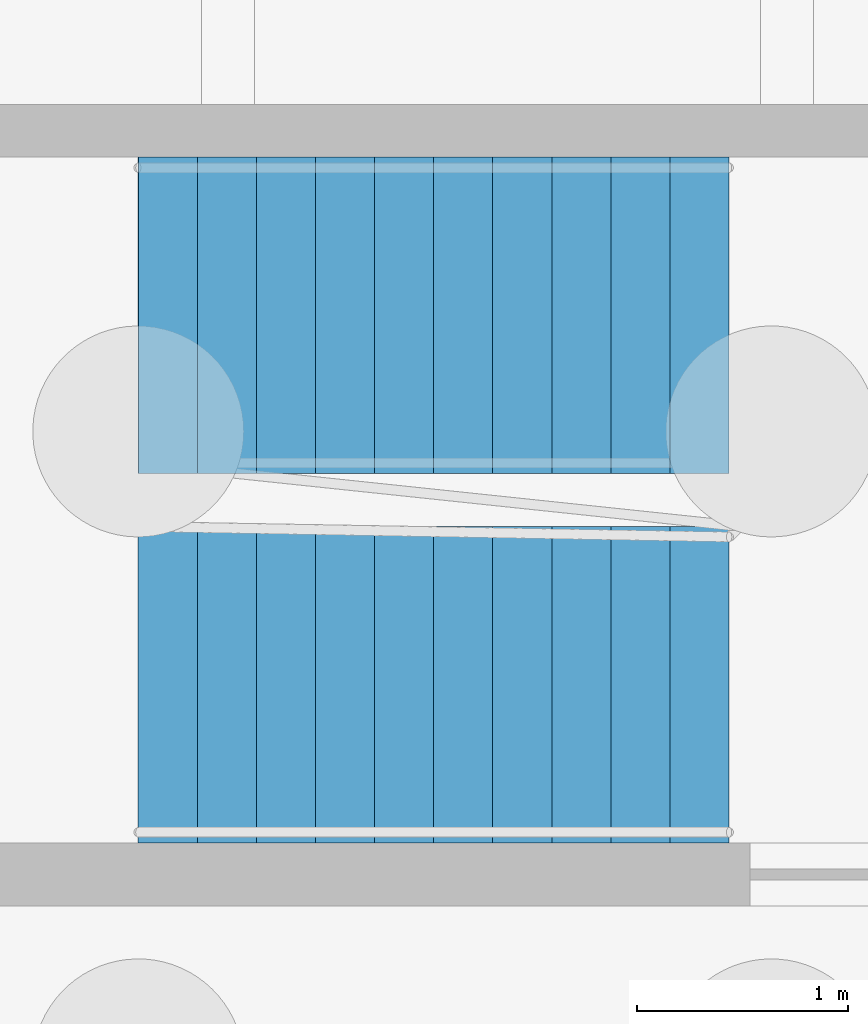
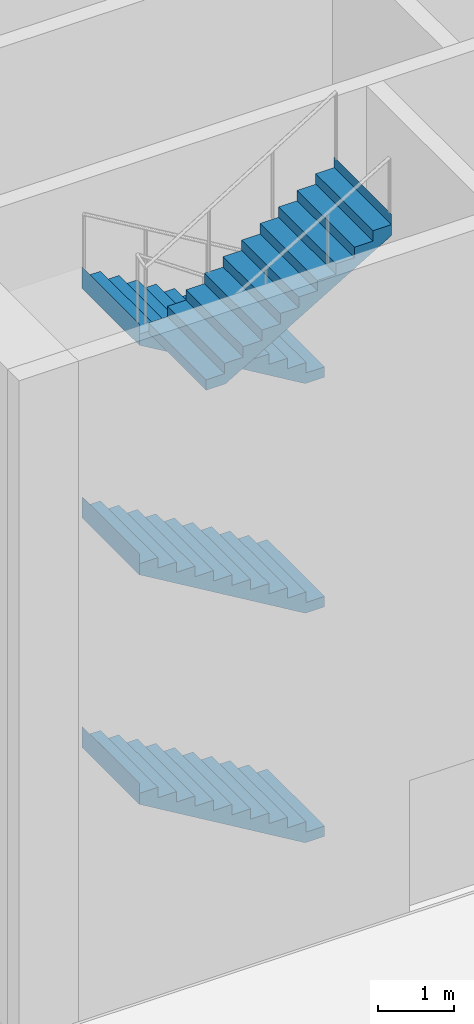
# One storey, part 12 of 26: 4 stair flights, 1 element without a shape of its own.
"""IFC4 building model written with IfcOpenShell, lengths in metres."""

from ifc_helpers import new_model, si_unit, direction, frame, origin, place, context, subcontext, project, spatial, faceted_brep, material, type_object, element, aggregate, save


model = new_model("IFC4")

# Units and contexts
model_context = context("Model", 3, precision=1e-05, world=origin(), true_north=direction((0.0, 1.0)))
body_context = subcontext(model_context, "Body", "Model", "MODEL_VIEW")
ifc_project = project(units=[si_unit("LENGTHUNIT", "METRE"), si_unit("AREAUNIT", "SQUARE_METRE"), si_unit("VOLUMEUNIT", "CUBIC_METRE"), si_unit("PLANEANGLEUNIT", "RADIAN"), si_unit("MASSUNIT", "GRAM", prefix="KILO")], contexts=[model_context])

# Site, building, storey
site_placement = place(None, origin())
site = spatial("IfcSite", under=ifc_project, at=site_placement, CompositionType="ELEMENT")
building_placement = place(site_placement, origin())
building = spatial("IfcBuilding", under=site, at=building_placement, Name="Kajstack Hotel Tower", CompositionType="ELEMENT")
storey_placement = place(building_placement, origin())
storey = spatial("IfcBuildingStorey", under=building, at=storey_placement, Name="L00", CompositionType="ELEMENT", Elevation=0.0)

# Stair, stair flights
ifc_material = material(Name="Concrete C40/50", Category="concrete")
stair_type = type_object("IfcStairType", Name="Exit stair 1500", PredefinedType="HALF_TURN_STAIR", material=ifc_material)
stair_placement = place(storey_placement, origin())
stair = element("IfcStair", 1, at=stair_placement, inside=storey, type_object=stair_type, Name="L00 stair W3", PredefinedType="HALF_TURN_STAIR")
stair_flight_type = type_object("IfcStairFlightType", Name="Exit stair flight 1500", PredefinedType="STRAIGHT", material=ifc_material)
stair_flight_1_placement = place(storey_placement, frame((-25.699951171875, -12.699951171875, 0.0), z_axis=(0.0, 0.0, 1.0), x_axis=(-1.0, 0.0, 0.0)))
stair_flight_1 = element("IfcStairFlight", 2, at=stair_flight_1_placement, type_object=stair_flight_type, Name="W3 flight 1", NumberOfRisers=11, NumberOfTreads=10, PredefinedType="STRAIGHT", RiserHeight=0.166666667, TreadLength=0.28, context=body_context, shape_type="Brep", body=[
    faceted_brep([(0.29345703125, -0.75, 0.0), (2.800537109375, -0.75, 1.4921875), (2.800537109375, -0.75, 1.833251953125), (2.800048828125, -0.75, 1.833251953125), (2.800048828125, -0.75, 1.666748046875), (2.52001953125, -0.75, 1.666748046875), (2.52001953125, -0.75, 1.5), (2.239990234375, -0.75, 1.5), (2.239990234375, -0.75, 1.333251953125), (1.9599609375, -0.75, 1.333251953125), (1.9599609375, -0.75, 1.166748046875), (1.679931640625, -0.75, 1.166748046875), (1.679931640625, -0.75, 1.0), (1.39990234375, -0.75, 1.0), (1.39990234375, -0.75, 0.833251953125), (1.1201171875, -0.75, 0.833251953125), (1.1201171875, -0.75, 0.666748046875), (0.840087890625, -0.75, 0.666748046875), (0.840087890625, -0.75, 0.5), (0.56005859375, -0.75, 0.5), (0.56005859375, -0.75, 0.333251953125), (0.280029296875, -0.75, 0.333251953125), (0.280029296875, -0.75, 0.166748046875), (-0.00048828125, -0.75, 0.166748046875), (-0.00048828125, -0.75, 0.0), (-0.00048828125, 0.75, 0.0), (-0.00048828125, 0.75, 0.166748046875), (0.280029296875, 0.75, 0.166748046875), (0.280029296875, 0.75, 0.333251953125), (0.56005859375, 0.75, 0.333251953125), (0.56005859375, 0.75, 0.5), (0.840087890625, 0.75, 0.5), (0.840087890625, 0.75, 0.666748046875), (1.1201171875, 0.75, 0.666748046875), (1.1201171875, 0.75, 0.833251953125), (1.39990234375, 0.75, 0.833251953125), (1.39990234375, 0.75, 1.0), (1.679931640625, 0.75, 1.0), (1.679931640625, 0.75, 1.166748046875), (1.9599609375, 0.75, 1.166748046875), (1.9599609375, 0.75, 1.333251953125), (2.239990234375, 0.75, 1.333251953125), (2.239990234375, 0.75, 1.5), (2.52001953125, 0.75, 1.5), (2.52001953125, 0.75, 1.666748046875), (2.800048828125, 0.75, 1.666748046875), (2.800048828125, 0.75, 1.833251953125), (2.800537109375, 0.75, 1.833251953125), (2.800537109375, 0.75, 1.4921875), (0.29345703125, 0.75, 0.0), (-0.00048828125, -0.375, 0.166748046875), (-0.00048828125, 0.0, 0.166748046875), (-0.00048828125, 0.375, 0.166748046875), (-0.00048828125, 0.375, 0.0), (-0.00048828125, 0.0, 0.0), (-0.00048828125, -0.375, 0.0), (0.280029296875, -0.375, 0.166748046875), (0.280029296875, 0.0, 0.166748046875), (0.280029296875, 0.375, 0.166748046875), (0.280029296875, -0.375, 0.333251953125), (0.280029296875, 0.0, 0.333251953125), (0.280029296875, 0.375, 0.333251953125), (0.56005859375, -0.375, 0.333251953125), (0.56005859375, 0.0, 0.333251953125), (0.56005859375, 0.375, 0.333251953125), (0.56005859375, -0.375, 0.5), (0.56005859375, 0.0, 0.5), (0.56005859375, 0.375, 0.5), (0.840087890625, -0.375, 0.5), (0.840087890625, 0.0, 0.5), (0.840087890625, 0.375, 0.5), (0.840087890625, -0.375, 0.666748046875), (0.840087890625, 0.0, 0.666748046875), (0.840087890625, 0.375, 0.666748046875), (1.1201171875, -0.375, 0.666748046875), (1.1201171875, 0.0, 0.666748046875), (1.1201171875, 0.375, 0.666748046875), (1.1201171875, -0.375, 0.833251953125), (1.1201171875, 0.0, 0.833251953125), (1.1201171875, 0.375, 0.833251953125), (1.39990234375, -0.375, 0.833251953125), (1.39990234375, 0.0, 0.833251953125), (1.39990234375, 0.375, 0.833251953125), (1.39990234375, -0.375, 1.0), (1.39990234375, 0.0, 1.0), (1.39990234375, 0.375, 1.0), (1.679931640625, -0.375, 1.0), (1.679931640625, 0.0, 1.0), (1.679931640625, 0.375, 1.0), (1.679931640625, -0.375, 1.166748046875), (1.679931640625, 0.0, 1.166748046875), (1.679931640625, 0.375, 1.166748046875), (1.9599609375, -0.375, 1.166748046875), (1.9599609375, 0.0, 1.166748046875), (1.9599609375, 0.375, 1.166748046875), (1.9599609375, -0.375, 1.333251953125), (1.9599609375, 0.0, 1.333251953125), (1.9599609375, 0.375, 1.333251953125), (2.239990234375, -0.375, 1.333251953125), (2.239990234375, 0.0, 1.333251953125), (2.239990234375, 0.375, 1.333251953125), (2.239990234375, -0.375, 1.5), (2.239990234375, 0.0, 1.5), (2.239990234375, 0.375, 1.5), (2.52001953125, -0.375, 1.5), (2.52001953125, 0.0, 1.5), (2.52001953125, 0.375, 1.5), (2.52001953125, -0.375, 1.666748046875), (2.52001953125, 0.0, 1.666748046875), (2.52001953125, 0.375, 1.666748046875), (2.800048828125, -0.375, 1.666748046875), (2.800048828125, 0.0, 1.666748046875), (2.800048828125, 0.375, 1.666748046875), (2.800048828125, -0.375, 1.833251953125), (2.800048828125, 0.0, 1.833251953125), (2.800048828125, 0.375, 1.833251953125), (2.800537109375, -0.375, 1.833251953125), (2.800537109375, 0.0, 1.833251953125), (2.800537109375, 0.375, 1.833251953125), (2.800537109375, -0.375, 1.4921875), (2.800537109375, 0.0, 1.4921875), (2.800537109375, 0.375, 1.4921875), (0.29345703125, -0.375, 0.0), (0.29345703125, 0.0, 0.0), (0.29345703125, 0.375, 0.0)], [[[0, 1, 2, 3, 4, 5, 6, 7, 8, 9, 10, 11, 12, 13, 14, 15, 16, 17, 18, 19, 20, 21, 22, 23, 24]], [[25, 26, 27, 28, 29, 30, 31, 32, 33, 34, 35, 36, 37, 38, 39, 40, 41, 42, 43, 44, 45, 46, 47, 48, 49]], [[23, 50, 51, 52, 26, 25, 53, 54, 55, 24]], [[22, 56, 57, 58, 27, 26, 52, 51, 50, 23]], [[21, 59, 60, 61, 28, 27, 58, 57, 56, 22]], [[20, 62, 63, 64, 29, 28, 61, 60, 59, 21]], [[19, 65, 66, 67, 30, 29, 64, 63, 62, 20]], [[18, 68, 69, 70, 31, 30, 67, 66, 65, 19]], [[17, 71, 72, 73, 32, 31, 70, 69, 68, 18]], [[16, 74, 75, 76, 33, 32, 73, 72, 71, 17]], [[15, 77, 78, 79, 34, 33, 76, 75, 74, 16]], [[14, 80, 81, 82, 35, 34, 79, 78, 77, 15]], [[13, 83, 84, 85, 36, 35, 82, 81, 80, 14]], [[12, 86, 87, 88, 37, 36, 85, 84, 83, 13]], [[11, 89, 90, 91, 38, 37, 88, 87, 86, 12]], [[10, 92, 93, 94, 39, 38, 91, 90, 89, 11]], [[9, 95, 96, 97, 40, 39, 94, 93, 92, 10]], [[8, 98, 99, 100, 41, 40, 97, 96, 95, 9]], [[7, 101, 102, 103, 42, 41, 100, 99, 98, 8]], [[6, 104, 105, 106, 43, 42, 103, 102, 101, 7]], [[5, 107, 108, 109, 44, 43, 106, 105, 104, 6]], [[4, 110, 111, 112, 45, 44, 109, 108, 107, 5]], [[3, 113, 114, 115, 46, 45, 112, 111, 110, 4]], [[2, 116, 117, 118, 47, 46, 115, 114, 113, 3]], [[1, 119, 120, 121, 48, 47, 118, 117, 116, 2]], [[0, 122, 123, 124, 49, 48, 121, 120, 119, 1]], [[24, 55, 54, 53, 25, 49, 124, 123, 122, 0]]]),
])
stair_flight_2_placement = place(storey_placement, frame((-25.699951171875, -12.699951171875, 3.666748046875), z_axis=(0.0, 0.0, 1.0), x_axis=(-1.0, 0.0, 0.0)))
stair_flight_2 = element("IfcStairFlight", 3, at=stair_flight_2_placement, type_object=stair_flight_type, Name="W3 flight 3", NumberOfRisers=11, NumberOfTreads=10, PredefinedType="STRAIGHT", RiserHeight=0.166666667, TreadLength=0.28, context=body_context, shape_type="Brep", body=[
    faceted_brep([(0.29345703125, -0.75, 0.0), (2.800537109375, -0.75, 1.4921875), (2.800537109375, -0.75, 1.833251953125), (2.800048828125, -0.75, 1.833251953125), (2.800048828125, -0.75, 1.666748046875), (2.52001953125, -0.75, 1.666748046875), (2.52001953125, -0.75, 1.5), (2.239990234375, -0.75, 1.5), (2.239990234375, -0.75, 1.333251953125), (1.9599609375, -0.75, 1.333251953125), (1.9599609375, -0.75, 1.166748046875), (1.679931640625, -0.75, 1.166748046875), (1.679931640625, -0.75, 1.0), (1.39990234375, -0.75, 1.0), (1.39990234375, -0.75, 0.833251953125), (1.1201171875, -0.75, 0.833251953125), (1.1201171875, -0.75, 0.666748046875), (0.840087890625, -0.75, 0.666748046875), (0.840087890625, -0.75, 0.5), (0.56005859375, -0.75, 0.5), (0.56005859375, -0.75, 0.333251953125), (0.280029296875, -0.75, 0.333251953125), (0.280029296875, -0.75, 0.166748046875), (-0.00048828125, -0.75, 0.166748046875), (-0.00048828125, -0.75, 0.0), (-0.00048828125, 0.75, 0.0), (-0.00048828125, 0.75, 0.166748046875), (0.280029296875, 0.75, 0.166748046875), (0.280029296875, 0.75, 0.333251953125), (0.56005859375, 0.75, 0.333251953125), (0.56005859375, 0.75, 0.5), (0.840087890625, 0.75, 0.5), (0.840087890625, 0.75, 0.666748046875), (1.1201171875, 0.75, 0.666748046875), (1.1201171875, 0.75, 0.833251953125), (1.39990234375, 0.75, 0.833251953125), (1.39990234375, 0.75, 1.0), (1.679931640625, 0.75, 1.0), (1.679931640625, 0.75, 1.166748046875), (1.9599609375, 0.75, 1.166748046875), (1.9599609375, 0.75, 1.333251953125), (2.239990234375, 0.75, 1.333251953125), (2.239990234375, 0.75, 1.5), (2.52001953125, 0.75, 1.5), (2.52001953125, 0.75, 1.666748046875), (2.800048828125, 0.75, 1.666748046875), (2.800048828125, 0.75, 1.833251953125), (2.800537109375, 0.75, 1.833251953125), (2.800537109375, 0.75, 1.4921875), (0.29345703125, 0.75, 0.0), (-0.00048828125, -0.375, 0.166748046875), (-0.00048828125, 0.0, 0.166748046875), (-0.00048828125, 0.375, 0.166748046875), (-0.00048828125, 0.375, 0.0), (-0.00048828125, 0.0, 0.0), (-0.00048828125, -0.375, 0.0), (0.280029296875, -0.375, 0.166748046875), (0.280029296875, 0.0, 0.166748046875), (0.280029296875, 0.375, 0.166748046875), (0.280029296875, -0.375, 0.333251953125), (0.280029296875, 0.0, 0.333251953125), (0.280029296875, 0.375, 0.333251953125), (0.56005859375, -0.375, 0.333251953125), (0.56005859375, 0.0, 0.333251953125), (0.56005859375, 0.375, 0.333251953125), (0.56005859375, -0.375, 0.5), (0.56005859375, 0.0, 0.5), (0.56005859375, 0.375, 0.5), (0.840087890625, -0.375, 0.5), (0.840087890625, 0.0, 0.5), (0.840087890625, 0.375, 0.5), (0.840087890625, -0.375, 0.666748046875), (0.840087890625, 0.0, 0.666748046875), (0.840087890625, 0.375, 0.666748046875), (1.1201171875, -0.375, 0.666748046875), (1.1201171875, 0.0, 0.666748046875), (1.1201171875, 0.375, 0.666748046875), (1.1201171875, -0.375, 0.833251953125), (1.1201171875, 0.0, 0.833251953125), (1.1201171875, 0.375, 0.833251953125), (1.39990234375, -0.375, 0.833251953125), (1.39990234375, 0.0, 0.833251953125), (1.39990234375, 0.375, 0.833251953125), (1.39990234375, -0.375, 1.0), (1.39990234375, 0.0, 1.0), (1.39990234375, 0.375, 1.0), (1.679931640625, -0.375, 1.0), (1.679931640625, 0.0, 1.0), (1.679931640625, 0.375, 1.0), (1.679931640625, -0.375, 1.166748046875), (1.679931640625, 0.0, 1.166748046875), (1.679931640625, 0.375, 1.166748046875), (1.9599609375, -0.375, 1.166748046875), (1.9599609375, 0.0, 1.166748046875), (1.9599609375, 0.375, 1.166748046875), (1.9599609375, -0.375, 1.333251953125), (1.9599609375, 0.0, 1.333251953125), (1.9599609375, 0.375, 1.333251953125), (2.239990234375, -0.375, 1.333251953125), (2.239990234375, 0.0, 1.333251953125), (2.239990234375, 0.375, 1.333251953125), (2.239990234375, -0.375, 1.5), (2.239990234375, 0.0, 1.5), (2.239990234375, 0.375, 1.5), (2.52001953125, -0.375, 1.5), (2.52001953125, 0.0, 1.5), (2.52001953125, 0.375, 1.5), (2.52001953125, -0.375, 1.666748046875), (2.52001953125, 0.0, 1.666748046875), (2.52001953125, 0.375, 1.666748046875), (2.800048828125, -0.375, 1.666748046875), (2.800048828125, 0.0, 1.666748046875), (2.800048828125, 0.375, 1.666748046875), (2.800048828125, -0.375, 1.833251953125), (2.800048828125, 0.0, 1.833251953125), (2.800048828125, 0.375, 1.833251953125), (2.800537109375, -0.375, 1.833251953125), (2.800537109375, 0.0, 1.833251953125), (2.800537109375, 0.375, 1.833251953125), (2.800537109375, -0.375, 1.4921875), (2.800537109375, 0.0, 1.4921875), (2.800537109375, 0.375, 1.4921875), (0.29345703125, -0.375, 0.0), (0.29345703125, 0.0, 0.0), (0.29345703125, 0.375, 0.0)], [[[0, 1, 2, 3, 4, 5, 6, 7, 8, 9, 10, 11, 12, 13, 14, 15, 16, 17, 18, 19, 20, 21, 22, 23, 24]], [[25, 26, 27, 28, 29, 30, 31, 32, 33, 34, 35, 36, 37, 38, 39, 40, 41, 42, 43, 44, 45, 46, 47, 48, 49]], [[23, 50, 51, 52, 26, 25, 53, 54, 55, 24]], [[22, 56, 57, 58, 27, 26, 52, 51, 50, 23]], [[21, 59, 60, 61, 28, 27, 58, 57, 56, 22]], [[20, 62, 63, 64, 29, 28, 61, 60, 59, 21]], [[19, 65, 66, 67, 30, 29, 64, 63, 62, 20]], [[18, 68, 69, 70, 31, 30, 67, 66, 65, 19]], [[17, 71, 72, 73, 32, 31, 70, 69, 68, 18]], [[16, 74, 75, 76, 33, 32, 73, 72, 71, 17]], [[15, 77, 78, 79, 34, 33, 76, 75, 74, 16]], [[14, 80, 81, 82, 35, 34, 79, 78, 77, 15]], [[13, 83, 84, 85, 36, 35, 82, 81, 80, 14]], [[12, 86, 87, 88, 37, 36, 85, 84, 83, 13]], [[11, 89, 90, 91, 38, 37, 88, 87, 86, 12]], [[10, 92, 93, 94, 39, 38, 91, 90, 89, 11]], [[9, 95, 96, 97, 40, 39, 94, 93, 92, 10]], [[8, 98, 99, 100, 41, 40, 97, 96, 95, 9]], [[7, 101, 102, 103, 42, 41, 100, 99, 98, 8]], [[6, 104, 105, 106, 43, 42, 103, 102, 101, 7]], [[5, 107, 108, 109, 44, 43, 106, 105, 104, 6]], [[4, 110, 111, 112, 45, 44, 109, 108, 107, 5]], [[3, 113, 114, 115, 46, 45, 112, 111, 110, 4]], [[2, 116, 117, 118, 47, 46, 115, 114, 113, 3]], [[1, 119, 120, 121, 48, 47, 118, 117, 116, 2]], [[0, 122, 123, 124, 49, 48, 121, 120, 119, 1]], [[24, 55, 54, 53, 25, 49, 124, 123, 122, 0]]]),
])
stair_flight_3_placement = place(storey_placement, frame((-25.699951171875, -12.699951171875, 7.333251953125), z_axis=(0.0, 0.0, 1.0), x_axis=(-1.0, 0.0, 0.0)))
stair_flight_3 = element("IfcStairFlight", 4, at=stair_flight_3_placement, type_object=stair_flight_type, Name="W3 flight 5", NumberOfRisers=11, NumberOfTreads=10, PredefinedType="STRAIGHT", RiserHeight=0.166666667, TreadLength=0.28, context=body_context, shape_type="Brep", body=[
    faceted_brep([(0.29345703125, -0.75, 0.0), (2.800537109375, -0.75, 1.4921875), (2.800537109375, -0.75, 1.833251953125), (2.800048828125, -0.75, 1.833251953125), (2.800048828125, -0.75, 1.666748046875), (2.52001953125, -0.75, 1.666748046875), (2.52001953125, -0.75, 1.5), (2.239990234375, -0.75, 1.5), (2.239990234375, -0.75, 1.333251953125), (1.9599609375, -0.75, 1.333251953125), (1.9599609375, -0.75, 1.166748046875), (1.679931640625, -0.75, 1.166748046875), (1.679931640625, -0.75, 1.0), (1.39990234375, -0.75, 1.0), (1.39990234375, -0.75, 0.833251953125), (1.1201171875, -0.75, 0.833251953125), (1.1201171875, -0.75, 0.666748046875), (0.840087890625, -0.75, 0.666748046875), (0.840087890625, -0.75, 0.5), (0.56005859375, -0.75, 0.5), (0.56005859375, -0.75, 0.333251953125), (0.280029296875, -0.75, 0.333251953125), (0.280029296875, -0.75, 0.166748046875), (-0.00048828125, -0.75, 0.166748046875), (-0.00048828125, -0.75, 0.0), (-0.00048828125, 0.75, 0.0), (-0.00048828125, 0.75, 0.166748046875), (0.280029296875, 0.75, 0.166748046875), (0.280029296875, 0.75, 0.333251953125), (0.56005859375, 0.75, 0.333251953125), (0.56005859375, 0.75, 0.5), (0.840087890625, 0.75, 0.5), (0.840087890625, 0.75, 0.666748046875), (1.1201171875, 0.75, 0.666748046875), (1.1201171875, 0.75, 0.833251953125), (1.39990234375, 0.75, 0.833251953125), (1.39990234375, 0.75, 1.0), (1.679931640625, 0.75, 1.0), (1.679931640625, 0.75, 1.166748046875), (1.9599609375, 0.75, 1.166748046875), (1.9599609375, 0.75, 1.333251953125), (2.239990234375, 0.75, 1.333251953125), (2.239990234375, 0.75, 1.5), (2.52001953125, 0.75, 1.5), (2.52001953125, 0.75, 1.666748046875), (2.800048828125, 0.75, 1.666748046875), (2.800048828125, 0.75, 1.833251953125), (2.800537109375, 0.75, 1.833251953125), (2.800537109375, 0.75, 1.4921875), (0.29345703125, 0.75, 0.0), (-0.00048828125, -0.375, 0.166748046875), (-0.00048828125, 0.0, 0.166748046875), (-0.00048828125, 0.375, 0.166748046875), (-0.00048828125, 0.375, 0.0), (-0.00048828125, 0.0, 0.0), (-0.00048828125, -0.375, 0.0), (0.280029296875, -0.375, 0.166748046875), (0.280029296875, 0.0, 0.166748046875), (0.280029296875, 0.375, 0.166748046875), (0.280029296875, -0.375, 0.333251953125), (0.280029296875, 0.0, 0.333251953125), (0.280029296875, 0.375, 0.333251953125), (0.56005859375, -0.375, 0.333251953125), (0.56005859375, 0.0, 0.333251953125), (0.56005859375, 0.375, 0.333251953125), (0.56005859375, -0.375, 0.5), (0.56005859375, 0.0, 0.5), (0.56005859375, 0.375, 0.5), (0.840087890625, -0.375, 0.5), (0.840087890625, 0.0, 0.5), (0.840087890625, 0.375, 0.5), (0.840087890625, -0.375, 0.666748046875), (0.840087890625, 0.0, 0.666748046875), (0.840087890625, 0.375, 0.666748046875), (1.1201171875, -0.375, 0.666748046875), (1.1201171875, 0.0, 0.666748046875), (1.1201171875, 0.375, 0.666748046875), (1.1201171875, -0.375, 0.833251953125), (1.1201171875, 0.0, 0.833251953125), (1.1201171875, 0.375, 0.833251953125), (1.39990234375, -0.375, 0.833251953125), (1.39990234375, 0.0, 0.833251953125), (1.39990234375, 0.375, 0.833251953125), (1.39990234375, -0.375, 1.0), (1.39990234375, 0.0, 1.0), (1.39990234375, 0.375, 1.0), (1.679931640625, -0.375, 1.0), (1.679931640625, 0.0, 1.0), (1.679931640625, 0.375, 1.0), (1.679931640625, -0.375, 1.166748046875), (1.679931640625, 0.0, 1.166748046875), (1.679931640625, 0.375, 1.166748046875), (1.9599609375, -0.375, 1.166748046875), (1.9599609375, 0.0, 1.166748046875), (1.9599609375, 0.375, 1.166748046875), (1.9599609375, -0.375, 1.333251953125), (1.9599609375, 0.0, 1.333251953125), (1.9599609375, 0.375, 1.333251953125), (2.239990234375, -0.375, 1.333251953125), (2.239990234375, 0.0, 1.333251953125), (2.239990234375, 0.375, 1.333251953125), (2.239990234375, -0.375, 1.5), (2.239990234375, 0.0, 1.5), (2.239990234375, 0.375, 1.5), (2.52001953125, -0.375, 1.5), (2.52001953125, 0.0, 1.5), (2.52001953125, 0.375, 1.5), (2.52001953125, -0.375, 1.666748046875), (2.52001953125, 0.0, 1.666748046875), (2.52001953125, 0.375, 1.666748046875), (2.800048828125, -0.375, 1.666748046875), (2.800048828125, 0.0, 1.666748046875), (2.800048828125, 0.375, 1.666748046875), (2.800048828125, -0.375, 1.833251953125), (2.800048828125, 0.0, 1.833251953125), (2.800048828125, 0.375, 1.833251953125), (2.800537109375, -0.375, 1.833251953125), (2.800537109375, 0.0, 1.833251953125), (2.800537109375, 0.375, 1.833251953125), (2.800537109375, -0.375, 1.4921875), (2.800537109375, 0.0, 1.4921875), (2.800537109375, 0.375, 1.4921875), (0.29345703125, -0.375, 0.0), (0.29345703125, 0.0, 0.0), (0.29345703125, 0.375, 0.0)], [[[0, 1, 2, 3, 4, 5, 6, 7, 8, 9, 10, 11, 12, 13, 14, 15, 16, 17, 18, 19, 20, 21, 22, 23, 24]], [[25, 26, 27, 28, 29, 30, 31, 32, 33, 34, 35, 36, 37, 38, 39, 40, 41, 42, 43, 44, 45, 46, 47, 48, 49]], [[23, 50, 51, 52, 26, 25, 53, 54, 55, 24]], [[22, 56, 57, 58, 27, 26, 52, 51, 50, 23]], [[21, 59, 60, 61, 28, 27, 58, 57, 56, 22]], [[20, 62, 63, 64, 29, 28, 61, 60, 59, 21]], [[19, 65, 66, 67, 30, 29, 64, 63, 62, 20]], [[18, 68, 69, 70, 31, 30, 67, 66, 65, 19]], [[17, 71, 72, 73, 32, 31, 70, 69, 68, 18]], [[16, 74, 75, 76, 33, 32, 73, 72, 71, 17]], [[15, 77, 78, 79, 34, 33, 76, 75, 74, 16]], [[14, 80, 81, 82, 35, 34, 79, 78, 77, 15]], [[13, 83, 84, 85, 36, 35, 82, 81, 80, 14]], [[12, 86, 87, 88, 37, 36, 85, 84, 83, 13]], [[11, 89, 90, 91, 38, 37, 88, 87, 86, 12]], [[10, 92, 93, 94, 39, 38, 91, 90, 89, 11]], [[9, 95, 96, 97, 40, 39, 94, 93, 92, 10]], [[8, 98, 99, 100, 41, 40, 97, 96, 95, 9]], [[7, 101, 102, 103, 42, 41, 100, 99, 98, 8]], [[6, 104, 105, 106, 43, 42, 103, 102, 101, 7]], [[5, 107, 108, 109, 44, 43, 106, 105, 104, 6]], [[4, 110, 111, 112, 45, 44, 109, 108, 107, 5]], [[3, 113, 114, 115, 46, 45, 112, 111, 110, 4]], [[2, 116, 117, 118, 47, 46, 115, 114, 113, 3]], [[1, 119, 120, 121, 48, 47, 118, 117, 116, 2]], [[0, 122, 123, 124, 49, 48, 121, 120, 119, 1]], [[24, 55, 54, 53, 25, 49, 124, 123, 122, 0]]]),
])
stair_flight_4_placement = place(storey_placement, frame((-28.5, -14.449951171875, 9.166748046875), z_axis=(0.0, 0.0, 1.0), x_axis=(1.0, 0.0, 0.0)))
stair_flight_4 = element("IfcStairFlight", 5, at=stair_flight_4_placement, type_object=stair_flight_type, Name="W3 flight 6", NumberOfRisers=11, NumberOfTreads=10, PredefinedType="STRAIGHT", RiserHeight=0.166666667, TreadLength=0.28, context=body_context, shape_type="Brep", body=[
    faceted_brep([(0.29345703125, -0.75, 0.0), (2.800537109375, -0.75, 1.4921875), (2.800537109375, -0.75, 1.833251953125), (2.800048828125, -0.75, 1.833251953125), (2.800048828125, -0.75, 1.666748046875), (2.52001953125, -0.75, 1.666748046875), (2.52001953125, -0.75, 1.5), (2.239990234375, -0.75, 1.5), (2.239990234375, -0.75, 1.333251953125), (1.9599609375, -0.75, 1.333251953125), (1.9599609375, -0.75, 1.166748046875), (1.679931640625, -0.75, 1.166748046875), (1.679931640625, -0.75, 1.0), (1.39990234375, -0.75, 1.0), (1.39990234375, -0.75, 0.833251953125), (1.1201171875, -0.75, 0.833251953125), (1.1201171875, -0.75, 0.666748046875), (0.840087890625, -0.75, 0.666748046875), (0.840087890625, -0.75, 0.5), (0.56005859375, -0.75, 0.5), (0.56005859375, -0.75, 0.333251953125), (0.280029296875, -0.75, 0.333251953125), (0.280029296875, -0.75, 0.166748046875), (-0.00048828125, -0.75, 0.166748046875), (-0.00048828125, -0.75, 0.0), (-0.00048828125, 0.75, 0.0), (-0.00048828125, 0.75, 0.166748046875), (0.280029296875, 0.75, 0.166748046875), (0.280029296875, 0.75, 0.333251953125), (0.56005859375, 0.75, 0.333251953125), (0.56005859375, 0.75, 0.5), (0.840087890625, 0.75, 0.5), (0.840087890625, 0.75, 0.666748046875), (1.1201171875, 0.75, 0.666748046875), (1.1201171875, 0.75, 0.833251953125), (1.39990234375, 0.75, 0.833251953125), (1.39990234375, 0.75, 1.0), (1.679931640625, 0.75, 1.0), (1.679931640625, 0.75, 1.166748046875), (1.9599609375, 0.75, 1.166748046875), (1.9599609375, 0.75, 1.333251953125), (2.239990234375, 0.75, 1.333251953125), (2.239990234375, 0.75, 1.5), (2.52001953125, 0.75, 1.5), (2.52001953125, 0.75, 1.666748046875), (2.800048828125, 0.75, 1.666748046875), (2.800048828125, 0.75, 1.833251953125), (2.800537109375, 0.75, 1.833251953125), (2.800537109375, 0.75, 1.4921875), (0.29345703125, 0.75, 0.0), (-0.00048828125, -0.375, 0.166748046875), (-0.00048828125, 0.0, 0.166748046875), (-0.00048828125, 0.375, 0.166748046875), (-0.00048828125, 0.375, 0.0), (-0.00048828125, 0.0, 0.0), (-0.00048828125, -0.375, 0.0), (0.280029296875, -0.375, 0.166748046875), (0.280029296875, 0.0, 0.166748046875), (0.280029296875, 0.375, 0.166748046875), (0.280029296875, -0.375, 0.333251953125), (0.280029296875, 0.0, 0.333251953125), (0.280029296875, 0.375, 0.333251953125), (0.56005859375, -0.375, 0.333251953125), (0.56005859375, 0.0, 0.333251953125), (0.56005859375, 0.375, 0.333251953125), (0.56005859375, -0.375, 0.5), (0.56005859375, 0.0, 0.5), (0.56005859375, 0.375, 0.5), (0.840087890625, -0.375, 0.5), (0.840087890625, 0.0, 0.5), (0.840087890625, 0.375, 0.5), (0.840087890625, -0.375, 0.666748046875), (0.840087890625, 0.0, 0.666748046875), (0.840087890625, 0.375, 0.666748046875), (1.1201171875, -0.375, 0.666748046875), (1.1201171875, 0.0, 0.666748046875), (1.1201171875, 0.375, 0.666748046875), (1.1201171875, -0.375, 0.833251953125), (1.1201171875, 0.0, 0.833251953125), (1.1201171875, 0.375, 0.833251953125), (1.39990234375, -0.375, 0.833251953125), (1.39990234375, 0.0, 0.833251953125), (1.39990234375, 0.375, 0.833251953125), (1.39990234375, -0.375, 1.0), (1.39990234375, 0.0, 1.0), (1.39990234375, 0.375, 1.0), (1.679931640625, -0.375, 1.0), (1.679931640625, 0.0, 1.0), (1.679931640625, 0.375, 1.0), (1.679931640625, -0.375, 1.166748046875), (1.679931640625, 0.0, 1.166748046875), (1.679931640625, 0.375, 1.166748046875), (1.9599609375, -0.375, 1.166748046875), (1.9599609375, 0.0, 1.166748046875), (1.9599609375, 0.375, 1.166748046875), (1.9599609375, -0.375, 1.333251953125), (1.9599609375, 0.0, 1.333251953125), (1.9599609375, 0.375, 1.333251953125), (2.239990234375, -0.375, 1.333251953125), (2.239990234375, 0.0, 1.333251953125), (2.239990234375, 0.375, 1.333251953125), (2.239990234375, -0.375, 1.5), (2.239990234375, 0.0, 1.5), (2.239990234375, 0.375, 1.5), (2.52001953125, -0.375, 1.5), (2.52001953125, 0.0, 1.5), (2.52001953125, 0.375, 1.5), (2.52001953125, -0.375, 1.666748046875), (2.52001953125, 0.0, 1.666748046875), (2.52001953125, 0.375, 1.666748046875), (2.800048828125, -0.375, 1.666748046875), (2.800048828125, 0.0, 1.666748046875), (2.800048828125, 0.375, 1.666748046875), (2.800048828125, -0.375, 1.833251953125), (2.800048828125, 0.0, 1.833251953125), (2.800048828125, 0.375, 1.833251953125), (2.800537109375, -0.375, 1.833251953125), (2.800537109375, 0.0, 1.833251953125), (2.800537109375, 0.375, 1.833251953125), (2.800537109375, -0.375, 1.4921875), (2.800537109375, 0.0, 1.4921875), (2.800537109375, 0.375, 1.4921875), (0.29345703125, -0.375, 0.0), (0.29345703125, 0.0, 0.0), (0.29345703125, 0.375, 0.0)], [[[0, 1, 2, 3, 4, 5, 6, 7, 8, 9, 10, 11, 12, 13, 14, 15, 16, 17, 18, 19, 20, 21, 22, 23, 24]], [[25, 26, 27, 28, 29, 30, 31, 32, 33, 34, 35, 36, 37, 38, 39, 40, 41, 42, 43, 44, 45, 46, 47, 48, 49]], [[23, 50, 51, 52, 26, 25, 53, 54, 55, 24]], [[22, 56, 57, 58, 27, 26, 52, 51, 50, 23]], [[21, 59, 60, 61, 28, 27, 58, 57, 56, 22]], [[20, 62, 63, 64, 29, 28, 61, 60, 59, 21]], [[19, 65, 66, 67, 30, 29, 64, 63, 62, 20]], [[18, 68, 69, 70, 31, 30, 67, 66, 65, 19]], [[17, 71, 72, 73, 32, 31, 70, 69, 68, 18]], [[16, 74, 75, 76, 33, 32, 73, 72, 71, 17]], [[15, 77, 78, 79, 34, 33, 76, 75, 74, 16]], [[14, 80, 81, 82, 35, 34, 79, 78, 77, 15]], [[13, 83, 84, 85, 36, 35, 82, 81, 80, 14]], [[12, 86, 87, 88, 37, 36, 85, 84, 83, 13]], [[11, 89, 90, 91, 38, 37, 88, 87, 86, 12]], [[10, 92, 93, 94, 39, 38, 91, 90, 89, 11]], [[9, 95, 96, 97, 40, 39, 94, 93, 92, 10]], [[8, 98, 99, 100, 41, 40, 97, 96, 95, 9]], [[7, 101, 102, 103, 42, 41, 100, 99, 98, 8]], [[6, 104, 105, 106, 43, 42, 103, 102, 101, 7]], [[5, 107, 108, 109, 44, 43, 106, 105, 104, 6]], [[4, 110, 111, 112, 45, 44, 109, 108, 107, 5]], [[3, 113, 114, 115, 46, 45, 112, 111, 110, 4]], [[2, 116, 117, 118, 47, 46, 115, 114, 113, 3]], [[1, 119, 120, 121, 48, 47, 118, 117, 116, 2]], [[0, 122, 123, 124, 49, 48, 121, 120, 119, 1]], [[24, 55, 54, 53, 25, 49, 124, 123, 122, 0]]]),
])
aggregate(stair, [stair_flight_1, stair_flight_2, stair_flight_3, stair_flight_4])

save(model, "model.ifc")
